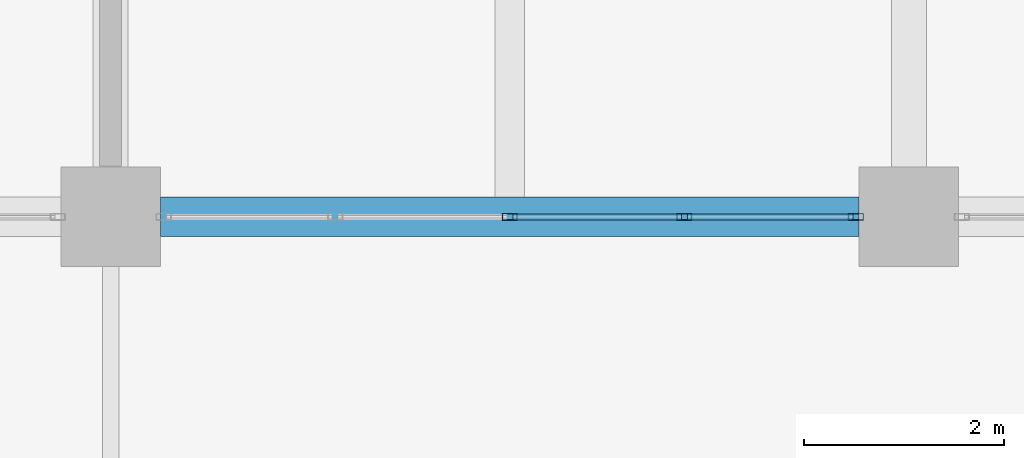
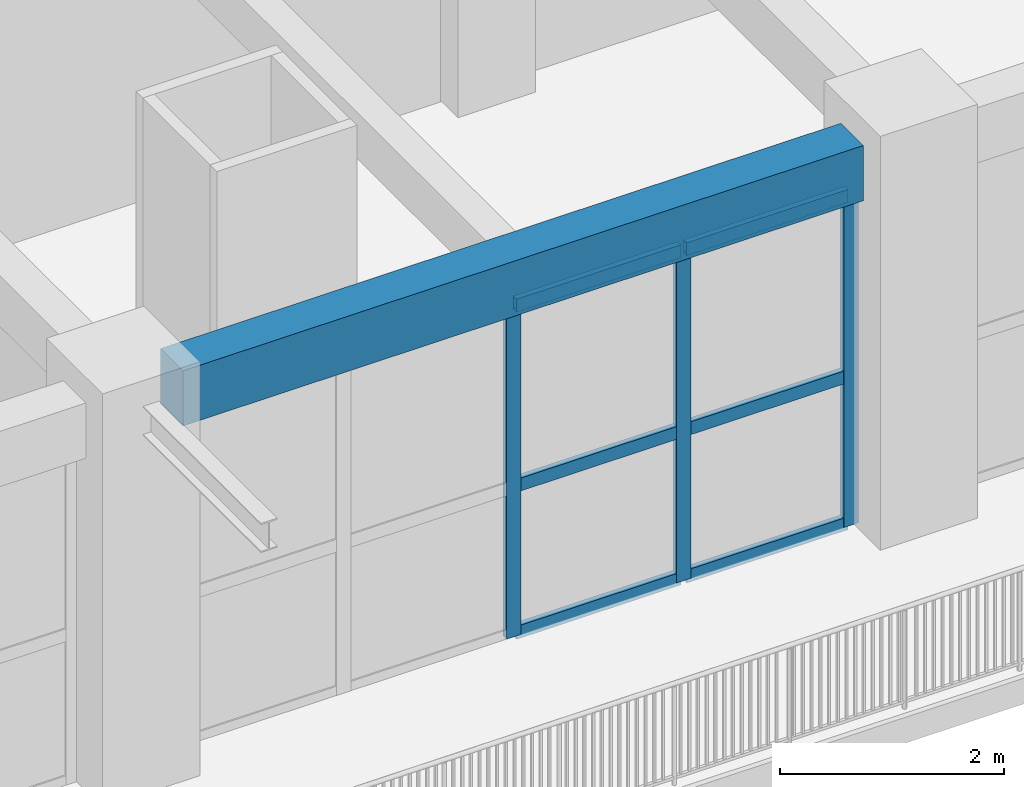
# One storey, part 25 of 79: 9 members, 1 beam, 1 element without a shape of its own.
"""IFC4 building model written with IfcOpenShell, lengths in metres."""

from ifc_helpers import new_model, si_unit, direction, frame, origin, origin_2d, place, context, subcontext, project, spatial, rectangle, hollow_rectangle, extrude, material, material_profile, profile_set, type_object, element, aggregate, save


model = new_model("IFC4")

# Units and contexts
model_context = context("Model", 3, precision=1e-05, world=origin(), true_north=direction((0.0, 1.0)))
body_context = subcontext(model_context, "Body", "Model", "MODEL_VIEW")
ifc_project = project(units=[si_unit("LENGTHUNIT", "METRE"), si_unit("AREAUNIT", "SQUARE_METRE"), si_unit("VOLUMEUNIT", "CUBIC_METRE"), si_unit("PLANEANGLEUNIT", "RADIAN"), si_unit("MASSUNIT", "GRAM", prefix="KILO")], contexts=[model_context])

# Site, building, storey
site_placement = place(None, origin())
site = spatial("IfcSite", under=ifc_project, at=site_placement, CompositionType="ELEMENT")
building_placement = place(site_placement, origin())
building = spatial("IfcBuilding", under=site, at=building_placement, Name="Zantavel Square City Hall", CompositionType="ELEMENT")
storey_placement = place(building_placement, frame((0.0, 0.0, 10.199951171875)))
storey = spatial("IfcBuildingStorey", under=building, at=storey_placement, Name="L03", CompositionType="ELEMENT", Elevation=10.199951171875)

# Curtain wall, members
ifc_material_1 = material(Name="Anodised aluminium 6063-T6", Category="aluminium")
curtain_wall_type = type_object("IfcCurtainWallType", Name="Curtain Wall TRV1 7000x3620", PredefinedType="USERDEFINED", material=ifc_material_1)
curtain_wall_placement = place(storey_placement, origin())
curtain_wall = element("IfcCurtainWall", 1, at=curtain_wall_placement, inside=storey, type_object=curtain_wall_type, Name="L03 Glazed Curtain Wall CW-L03-095", ObjectType="GLAZED CURTAIN WALL", PredefinedType="USERDEFINED")
ifc_material_profile_1 = material_profile(ifc_material_1, hollow_rectangle(XDim=0.06494140625, YDim=0.14990234375, WallThickness=0.00390625, at=origin_2d()), Name="ALU 65x150x4")
ifc_profile_set_1 = profile_set([ifc_material_profile_1], Name="Anodised aluminium 6063-T6")
member_type_1 = type_object("IfcMemberType", Name="CW Mullion ALU 65x150x4", PredefinedType="MULLION", material=ifc_profile_set_1)
member_1_placement = place(storey_placement, frame((103.469970703125, 30.39990234375, 0.0), z_axis=(0.0, 0.0, 1.0), x_axis=(0.0, -1.0, 0.0)))
member_1 = element("IfcMember", 2, at=member_1_placement, type_object=member_type_1, Name="CW-095 mullion 1", PredefinedType="MULLION", context=body_context, shape_type="SweptSolid", body=[
    extrude(hollow_rectangle(XDim=0.06494140625, YDim=0.14990234375, WallThickness=0.00390625, at=origin_2d()), origin(), (0.0, 0.0, 1.0), 3.6201171875),
])
member_2_placement = place(storey_placement, frame((101.75, 30.39990234375, 0.0), z_axis=(0.0, 0.0, 1.0), x_axis=(0.0, -1.0, 0.0)))
member_2 = element("IfcMember", 3, at=member_2_placement, type_object=member_type_1, Name="CW-095 mullion 2", PredefinedType="MULLION", context=body_context, shape_type="SweptSolid", body=[
    extrude(hollow_rectangle(XDim=0.06494140625, YDim=0.14990234375, WallThickness=0.00390625, at=origin_2d()), origin(), (0.0, 0.0, 1.0), 3.6201171875),
])
member_3_placement = place(storey_placement, frame((100.0, 30.39990234375, 0.0), z_axis=(0.0, 0.0, 1.0), x_axis=(0.0, -1.0, 0.0)))
member_3 = element("IfcMember", 4, at=member_3_placement, type_object=member_type_1, Name="CW-095 mullion 3", PredefinedType="MULLION", context=body_context, shape_type="SweptSolid", body=[
    extrude(hollow_rectangle(XDim=0.06494140625, YDim=0.14990234375, WallThickness=0.00390625, at=origin_2d()), origin(), (0.0, 0.0, 1.0), 3.6201171875),
])
ifc_material_profile_2 = material_profile(ifc_material_1, hollow_rectangle(XDim=0.06005859375, YDim=0.139892578125, WallThickness=0.00390625, at=origin_2d()), Name="ALU 60x140x4")
ifc_profile_set_2 = profile_set([ifc_material_profile_2], Name="Anodised aluminium 6063-T6")
member_type_2 = type_object("IfcMemberType", Name="CW Transom ALU 60x140x4", PredefinedType="USERDEFINED", material=ifc_profile_set_2)
member_4_placement = place(storey_placement, frame((103.43994140625, 30.39990234375, 0.030029296875), z_axis=(-1.0, 0.0, 0.0), x_axis=(0.0, -1.0, 0.0)))
member_4 = element("IfcMember", 5, at=member_4_placement, type_object=member_type_2, Name="CW-095 transom 1.1", ObjectType="TRANSOM", PredefinedType="USERDEFINED", context=body_context, shape_type="SweptSolid", body=[
    extrude(hollow_rectangle(XDim=0.06005859375, YDim=0.139892578125, WallThickness=0.00390625, at=origin_2d()), origin(), (0.0, 0.0, 1.0), 1.659912109375),
])
member_5_placement = place(storey_placement, frame((103.43994140625, 30.39990234375, 1.629150390625), z_axis=(-1.0, 0.0, 0.0), x_axis=(0.0, -1.0, 0.0)))
member_5 = element("IfcMember", 6, at=member_5_placement, type_object=member_type_2, Name="CW-095 transom 1.2", ObjectType="TRANSOM", PredefinedType="USERDEFINED", context=body_context, shape_type="SweptSolid", body=[
    extrude(hollow_rectangle(XDim=0.06005859375, YDim=0.139892578125, WallThickness=0.00390625, at=origin_2d()), origin(), (0.0, 0.0, 1.0), 1.659912109375),
])
member_6_placement = place(storey_placement, frame((103.43994140625, 30.39990234375, 3.590087890625), z_axis=(-1.0, 0.0, 0.0), x_axis=(0.0, -1.0, 0.0)))
member_6 = element("IfcMember", 7, at=member_6_placement, type_object=member_type_2, Name="CW-095 transom 1.3", ObjectType="TRANSOM", PredefinedType="USERDEFINED", context=body_context, shape_type="SweptSolid", body=[
    extrude(hollow_rectangle(XDim=0.06005859375, YDim=0.139892578125, WallThickness=0.00390625, at=origin_2d()), origin(), (0.0, 0.0, 1.0), 1.659912109375),
])
member_7_placement = place(storey_placement, frame((101.719970703125, 30.39990234375, 0.030029296875), z_axis=(-1.0, 0.0, 0.0), x_axis=(0.0, -1.0, 0.0)))
member_7 = element("IfcMember", 8, at=member_7_placement, type_object=member_type_2, Name="CW-095 transom 2.1", ObjectType="TRANSOM", PredefinedType="USERDEFINED", context=body_context, shape_type="SweptSolid", body=[
    extrude(hollow_rectangle(XDim=0.06005859375, YDim=0.139892578125, WallThickness=0.00390625, at=origin_2d()), origin(), (0.0, 0.0, 1.0), 1.68994140625),
])
member_8_placement = place(storey_placement, frame((101.719970703125, 30.39990234375, 1.629150390625), z_axis=(-1.0, 0.0, 0.0), x_axis=(0.0, -1.0, 0.0)))
member_8 = element("IfcMember", 9, at=member_8_placement, type_object=member_type_2, Name="CW-095 transom 2.2", ObjectType="TRANSOM", PredefinedType="USERDEFINED", context=body_context, shape_type="SweptSolid", body=[
    extrude(hollow_rectangle(XDim=0.06005859375, YDim=0.139892578125, WallThickness=0.00390625, at=origin_2d()), origin(), (0.0, 0.0, 1.0), 1.68994140625),
])
member_9_placement = place(storey_placement, frame((101.719970703125, 30.39990234375, 3.590087890625), z_axis=(-1.0, 0.0, 0.0), x_axis=(0.0, -1.0, 0.0)))
member_9 = element("IfcMember", 10, at=member_9_placement, type_object=member_type_2, Name="CW-095 transom 2.3", ObjectType="TRANSOM", PredefinedType="USERDEFINED", context=body_context, shape_type="SweptSolid", body=[
    extrude(hollow_rectangle(XDim=0.06005859375, YDim=0.139892578125, WallThickness=0.00390625, at=origin_2d()), origin(), (0.0, 0.0, 1.0), 1.68994140625),
])
aggregate(curtain_wall, [member_1, member_2, member_3, member_4, member_5, member_6, member_7, member_8, member_9])

# Beam
ifc_material_2 = material(Name="Concrete C35/45", Category="concrete")
ifc_material_profile_3 = material_profile(ifc_material_2, rectangle(XDim=0.39990234375, YDim=0.60009765625, at=origin_2d()), Name="RC 400x600")
ifc_profile_set_3 = profile_set([ifc_material_profile_3], Name="Concrete C35/45")
beam_type = type_object("IfcBeamType", Name="Perimeter Spandrel RC 400x600 C35/45", PredefinedType="SPANDREL", material=ifc_profile_set_3)
beam_placement = place(storey_placement, frame((96.5, 30.39990234375, 3.920166015625), z_axis=(1.0, 0.0, 0.0), x_axis=(0.0, 1.0, 0.0)))
element("IfcBeam", 11, at=beam_placement, inside=storey, type_object=beam_type, Name="L03 Girder BMX-L03-0960-0304", PredefinedType="SPANDREL", context=body_context, shape_type="SweptSolid", body=[
    extrude(rectangle(XDim=0.39990234375, YDim=0.60009765625, at=origin_2d()), origin(), (0.0, 0.0, 1.0), 7.0),
])

save(model, "model.ifc")
